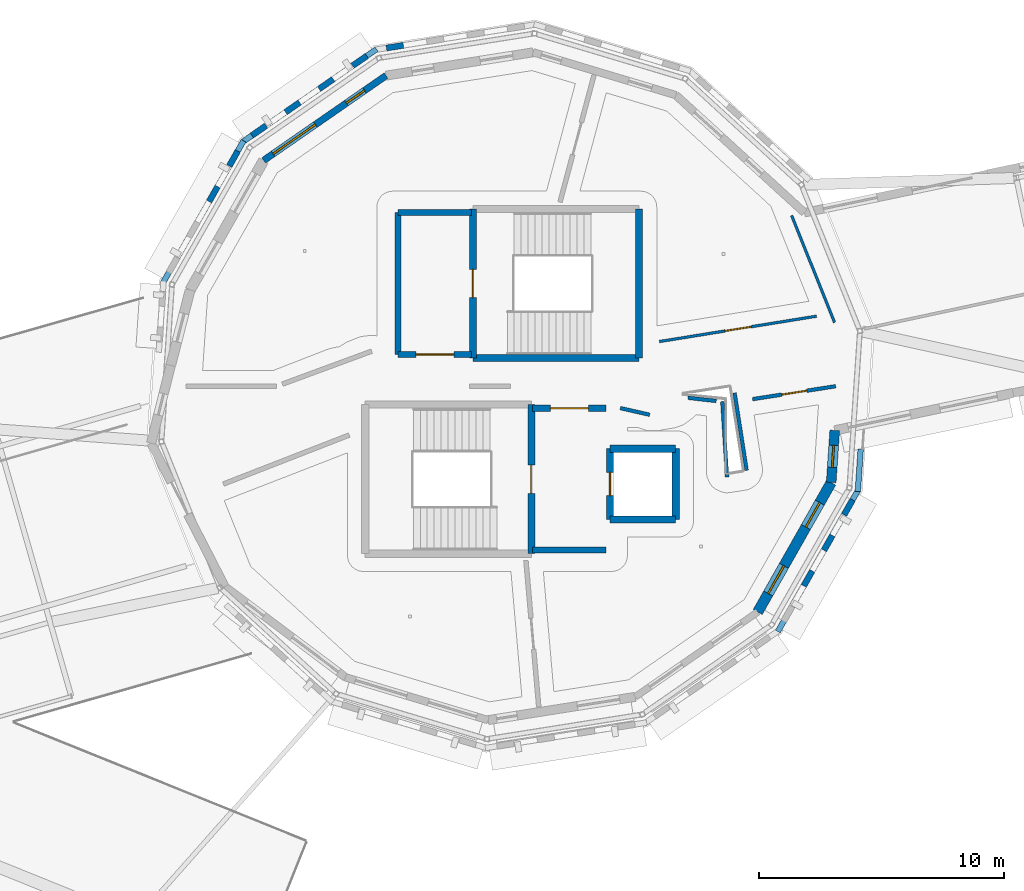
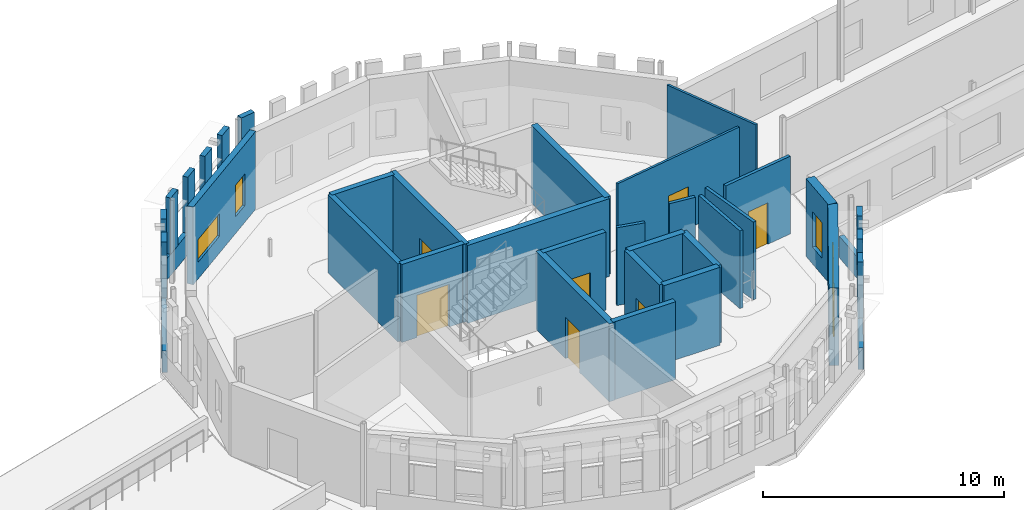
# One storey, part 60 of 90: 37 walls, 7 doors, 5 windows, 12 openings.
"""IFC4 building model written with IfcOpenShell, lengths in metres."""

from ifc_helpers import new_model, si_unit, direction, frame, frame_2d, origin, place, context, subcontext, project, spatial, rectangle, extrude, material, layer, layer_set, type_object, element, fill, save


model = new_model("IFC4")

# Units and contexts
model_context = context("Model", 3, precision=1e-05, world=origin(), true_north=direction((0.0, 1.0)))
body_context = subcontext(model_context, "Body", "Model", "MODEL_VIEW")
ifc_project = project(units=[si_unit("LENGTHUNIT", "METRE"), si_unit("AREAUNIT", "SQUARE_METRE"), si_unit("VOLUMEUNIT", "CUBIC_METRE"), si_unit("PLANEANGLEUNIT", "RADIAN"), si_unit("MASSUNIT", "GRAM", prefix="KILO")], contexts=[model_context])

# Site, building, storey
site_placement = place(None, origin())
site = spatial("IfcSite", under=ifc_project, at=site_placement, CompositionType="ELEMENT")
building_placement = place(site_placement, origin())
building = spatial("IfcBuilding", under=site, at=building_placement, Name="Wrenclough Park School", CompositionType="ELEMENT")
storey_placement = place(building_placement, frame((0.0, 0.0, 8.39990234375)))
storey = spatial("IfcBuildingStorey", under=building, at=storey_placement, Name="L02", CompositionType="ELEMENT", Elevation=8.39990234375)

# Walls
ifc_material_1 = material(Name="Perforated open-bond Staffordshire and Manchester brick screen pier", Category="masonry")
ifc_layer_1 = layer(ifc_material_1, 0.2451171875)
ifc_layer_set_1 = layer_set([ifc_layer_1], Name="Perforated open-bond Staffordshire and Manchester brick screen pier")
wall_type_1 = type_object("IfcWallType", Name="ENV-BS-PR245", PredefinedType="ELEMENTEDWALL", material=ifc_layer_set_1)
for number, where, z_axis, x_axis, name in (
    (1, (78.6142578125, 122.42919921875, 1.090087890625), (0.0, 0.0, 1.0), (-0.987697931756, -0.156373896812, 0.0), "D4 L02 perforated brick screen pier 0556"),
    (2, (77.120361328125, 121.998046875, 1.090087890625), (0.0, 0.0, 1.0), (-0.822004061083, -0.569481627064, 0.0), "D4 L02 perforated brick screen pier 0557"),
    (3, (75.748291015625, 121.047607421875, 1.090087890625), (0.0, 0.0, 1.0), (-0.822004061083, -0.569481627064, 0.0), "D4 L02 perforated brick screen pier 0558"),
):
    element("IfcWall", number, at=place(storey_placement, frame(where, z_axis=z_axis, x_axis=x_axis)), inside=storey, type_object=wall_type_1, Name=name, PredefinedType="ELEMENTEDWALL", context=body_context, shape_type="SweptSolid", body=[
        extrude(rectangle(XDim=0.700927734375, YDim=0.2451171875, at=frame_2d((0.3505859375, 0.0))), origin(), (0.0, 0.0, 1.0), 2.85009765625),
    ])
wall_1_placement = place(storey_placement, frame((74.376708984375, 120.097412109375, 1.090087890625), z_axis=(0.0, 0.0, 1.0), x_axis=(-0.821953993254, -0.569553889438, 0.0)))
element("IfcWall", 4, at=wall_1_placement, inside=storey, type_object=wall_type_1, Name="D4 L02 perforated brick screen pier 0559", PredefinedType="ELEMENTEDWALL", context=body_context, shape_type="SweptSolid", body=[
    extrude(rectangle(XDim=0.701171875, YDim=0.2451171875, at=frame_2d((0.3505859375, 0.0))), origin(), (0.0, 0.0, 1.0), 2.85009765625),
])
for number, where, z_axis, x_axis, name in (
    (5, (73.004638671875, 119.14697265625, 1.090087890625), (0.0, 0.0, 1.0), (-0.822004061083, -0.569481627064, 0.0), "D4 L02 perforated brick screen pier 0560"),
    (6, (71.845947265625, 118.1103515625, 1.090087890625), (0.0, 0.0, 1.0), (-0.493548557981, -0.869718242257, 0.0), "D4 L02 perforated brick screen pier 0561"),
    (7, (71.022216796875, 116.658935546875, 1.090087890625), (0.0, 0.0, 1.0), (-0.49328502852, -0.869867737439, 0.0), "D4 L02 perforated brick screen pier 0562"),
    (8, (94.977783203125, 100.341064453125, 1.090087890625), (0.0, 0.0, 1.0), (0.49328502852, 0.869867737439, 0.0), "D4 L02 perforated brick screen pier 0583"),
    (9, (95.80126953125, 101.792724609375, 1.090087890625), (0.0, 0.0, 1.0), (0.493548557981, 0.869718242257, 0.0), "D4 L02 perforated brick screen pier 0584"),
):
    element("IfcWall", number, at=place(storey_placement, frame(where, z_axis=z_axis, x_axis=x_axis)), inside=storey, type_object=wall_type_1, Name=name, PredefinedType="ELEMENTEDWALL", context=body_context, shape_type="SweptSolid", body=[
        extrude(rectangle(XDim=0.700927734375, YDim=0.2451171875, at=frame_2d((0.3505859375, 0.0))), origin(), (0.0, 0.0, 1.0), 2.85009765625),
    ])
wall_2_placement = place(storey_placement, frame((96.625, 103.244140625, 1.090087890625), z_axis=(0.0, 0.0, 1.0), x_axis=(0.49339908657, 0.869803047461, 0.0)))
element("IfcWall", 10, at=wall_2_placement, inside=storey, type_object=wall_type_1, Name="D4 L02 perforated brick screen pier 0585", PredefinedType="ELEMENTEDWALL", context=body_context, shape_type="SweptSolid", body=[
    extrude(rectangle(XDim=0.701171875, YDim=0.2451171875, at=frame_2d((0.3505859375, 0.0))), origin(), (0.0, 0.0, 1.0), 2.85009765625),
])
ifc_material_2 = material(Name="Open-bond Manchester multi-stock brick spandrel screen", Category="masonry")
ifc_layer_2 = layer(ifc_material_2, 0.22509765625)
ifc_layer_set_2 = layer_set([ifc_layer_2], Name="Open-bond Manchester multi-stock brick spandrel screen")
wall_type_2 = type_object("IfcWallType", Name="ENV-BS-SP225", PredefinedType="ELEMENTEDWALL", material=ifc_layer_set_2)
wall_3_placement = place(storey_placement, frame((77.51806640625, 122.273681640625, 0.0), z_axis=(0.0, 0.0, 1.0), x_axis=(-0.822009139105, -0.56947429725, 0.0)))
element("IfcWall", 11, at=wall_3_placement, inside=storey, type_object=wall_type_2, Name="D4 L02 open-bond brick screen spandrel 0151", PredefinedType="ELEMENTEDWALL", context=body_context, shape_type="SweptSolid", body=[
    extrude(rectangle(XDim=6.675537109375, YDim=0.22509765625, at=frame_2d((3.337890625, 0.0))), origin(), (0.0, 0.0, 1.0), 1.090087890625),
])
for number, where, z_axis, x_axis, name in (
    (12, (72.084716796875, 118.53125, 0.0), (0.0, 0.0, 1.0), (-0.493497861667, -0.869747009498, 0.0), "D4 L02 open-bond brick screen spandrel 0152"),
    (13, (93.915283203125, 98.46875, 0.0), (0.0, 0.0, 1.0), (0.493497861667, 0.869747009498, 0.0), "D4 L02 open-bond brick screen spandrel 0158"),
):
    element("IfcWall", number, at=place(storey_placement, frame(where, z_axis=z_axis, x_axis=x_axis)), inside=storey, type_object=wall_type_2, Name=name, PredefinedType="ELEMENTEDWALL", context=body_context, shape_type="SweptSolid", body=[
        extrude(rectangle(XDim=6.67578125, YDim=0.22509765625, at=frame_2d((3.337890625, 0.0))), origin(), (0.0, 0.0, 1.0), 1.090087890625),
    ])
wall_4_placement = place(storey_placement, frame((97.186767578125, 104.197998046875, 0.0), z_axis=(0.0, 0.0, 1.0), x_axis=(0.067258320943, 0.997735595368, 0.0)))
element("IfcWall", 14, at=wall_4_placement, inside=storey, type_object=wall_type_2, Name="D4 L02 open-bond brick screen spandrel 0159", PredefinedType="ELEMENTEDWALL", context=body_context, shape_type="SweptSolid", body=[
    extrude(rectangle(XDim=1.7314453125, YDim=0.22509765625, at=frame_2d((0.86572265625, 0.0))), origin(), (0.0, 0.0, 1.0), 1.090087890625),
])

# Wall, openings, windows
ifc_material_3 = material(Name="Link wing brick-faced cavity wall Concrete C32/40", Category="masonry")
ifc_layer_3 = layer(ifc_material_3, 0.27490234375)
ifc_layer_set_3 = layer_set([ifc_layer_3], Name="Link wing brick-faced cavity wall Concrete C32/40")
wall_type_3 = type_object("IfcWallType", Name="ENV-EW-275", PredefinedType="SOLIDWALL", material=ifc_layer_set_3)
wall_5_placement = place(storey_placement, frame((72.90478515625, 117.7275390625, 0.0), z_axis=(0.0, 0.0, 1.0), x_axis=(0.821994314634, 0.569495695075, 0.0)))
wall_5 = element("IfcWall", 15, at=wall_5_placement, inside=storey, type_object=wall_type_3, Name="L02 insulated brick external wall 0166", PredefinedType="SOLIDWALL", context=body_context, shape_type="SweptSolid", body=[
    extrude(rectangle(XDim=6.086669921875, YDim=0.27490234375, at=frame_2d((3.04345703125, 0.0))), origin(), (0.0, 0.0, 1.0), 3.940185546875),
])
opening_1_placement = place(wall_5_placement, frame((0.4716796875, 0.0, 0.85009765625)))
opening_1 = element("IfcOpeningElement", 16, at=opening_1_placement, cuts=wall_5, Name="Opening WN-40", PredefinedType="OPENING", context=body_context, shape_type="SweptSolid", body=[
    extrude(rectangle(XDim=2.10009765625, YDim=1.14990234375, at=frame_2d((1.050048828125, 0.574951171875))), frame((0.0, 0.1474609375, 0.0), z_axis=(0.0, -1.0, 0.0), x_axis=(1.0, 0.0, 0.0)), (0.0, 0.0, 1.0), 0.294921875),
])
opening_2_placement = place(wall_5_placement, frame((4.114990234375, 0.0, 0.85009765625)))
opening_2 = element("IfcOpeningElement", 17, at=opening_2_placement, cuts=wall_5, Name="Opening WN-13", PredefinedType="OPENING", context=body_context, shape_type="SweptSolid", body=[
    extrude(rectangle(XDim=0.89990234375, YDim=1.60009765625, at=frame_2d((0.449951171875, 0.800048828125))), frame((0.0, 0.1474609375, 0.0), z_axis=(0.0, -1.0, 0.0), x_axis=(1.0, 0.0, 0.0)), (0.0, 0.0, 1.0), 0.294921875),
])
ifc_material_4 = material(Name="Thermally broken aluminium and double-glazed low-e glass", Category="aluminium")
window_type_1 = type_object("IfcWindowType", Name="ENV-WN-13", PartitioningType="SINGLE_PANEL", PredefinedType="WINDOW", material=ifc_material_4)
window_1_placement = place(opening_2_placement, origin())
window_1 = element("IfcWindow", 18, at=window_1_placement, inside=storey, type_object=window_type_1, Name="L02 scheduled facade window 0264", OverallHeight=1.60009765625, OverallWidth=0.89990234375, PartitioningType="SINGLE_PANEL", PredefinedType="WINDOW", context=body_context, shape_type="SweptSolid", body=[
    extrude(rectangle(XDim=0.89990234375, YDim=1.60009765625, at=frame_2d((0.449951171875, 0.800048828125))), frame((0.0, 0.030029296875, 0.0), z_axis=(0.0, -1.0, 0.0), x_axis=(1.0, 0.0, 0.0)), (0.0, 0.0, 1.0), 0.06005859375),
])
fill(opening_2, window_1)
window_type_2 = type_object("IfcWindowType", Name="ENV-WN-40", PartitioningType="DOUBLE_PANEL_VERTICAL", PredefinedType="WINDOW", material=ifc_material_4)
window_2_placement = place(opening_1_placement, origin())
window_2 = element("IfcWindow", 19, at=window_2_placement, inside=storey, type_object=window_type_2, Name="L02 scheduled facade window 0263", OverallHeight=1.14990234375, OverallWidth=2.10009765625, PartitioningType="SINGLE_PANEL", PredefinedType="WINDOW", context=body_context, shape_type="SweptSolid", body=[
    extrude(rectangle(XDim=2.10009765625, YDim=1.14990234375, at=frame_2d((1.050048828125, 0.574951171875))), frame((0.0, 0.030029296875, 0.0), z_axis=(0.0, -1.0, 0.0), x_axis=(1.0, 0.0, 0.0)), (0.0, 0.0, 1.0), 0.06005859375),
])
fill(opening_1, window_2)

# Wall, opening, window
ifc_material_5 = material(Name="Staffordshire blue-grey brick and Concrete C40/50 acoustic leaf", Category="masonry")
ifc_layer_4 = layer(ifc_material_5, 0.39990234375)
ifc_layer_set_4 = layer_set([ifc_layer_4], Name="Staffordshire blue-grey brick and Concrete C40/50 acoustic leaf")
wall_type_4 = type_object("IfcWallType", Name="ENV-EW-400", PredefinedType="SOLIDWALL", material=ifc_layer_set_4)
wall_6_placement = place(storey_placement, frame((96.24267578125, 106.694580078125, 0.0), z_axis=(0.0, 0.0, 1.0), x_axis=(-0.067309145793, -0.997732167915, 0.0)))
wall_6 = element("IfcWall", 20, at=wall_6_placement, inside=storey, type_object=wall_type_4, Name="L02 insulated brick external wall 0156", PredefinedType="SOLIDWALL", context=body_context, shape_type="SweptSolid", body=[
    extrude(rectangle(XDim=2.1328125, YDim=0.39990234375, at=frame_2d((1.06640625, 0.0))), origin(), (0.0, 0.0, 1.0), 3.940185546875),
])
opening_3_placement = place(wall_6_placement, frame((0.616455078125, 0.0, 0.85009765625)))
opening_3 = element("IfcOpeningElement", 21, at=opening_3_placement, cuts=wall_6, Name="Opening WN-25", PredefinedType="OPENING", context=body_context, shape_type="SweptSolid", body=[
    extrude(rectangle(XDim=0.89990234375, YDim=1.800048828125, at=frame_2d((0.449951171875, 0.89990234375))), frame((0.0, 0.2099609375, 0.0), z_axis=(0.0, -1.0, 0.0), x_axis=(1.0, 0.0, 0.0)), (0.0, 0.0, 1.0), 0.419921875),
])
window_type_3 = type_object("IfcWindowType", Name="ENV-WN-25", PartitioningType="SINGLE_PANEL", PredefinedType="WINDOW", material=ifc_material_4)
window_3_placement = place(opening_3_placement, origin())
window_3 = element("IfcWindow", 22, at=window_3_placement, inside=storey, type_object=window_type_3, Name="L02 scheduled facade window 0248", OverallHeight=1.800048828125, OverallWidth=0.89990234375, PartitioningType="SINGLE_PANEL", PredefinedType="WINDOW", context=body_context, shape_type="SweptSolid", body=[
    extrude(rectangle(XDim=0.89990234375, YDim=1.800048828125, at=frame_2d((0.449951171875, 0.89990234375))), frame((0.0, 0.030029296875, 0.0), z_axis=(0.0, -1.0, 0.0), x_axis=(1.0, 0.0, 0.0)), (0.0, 0.0, 1.0), 0.06005859375),
])
fill(opening_3, window_3)

# Wall, openings, windows
ifc_material_6 = material(Name="Insulated brick-clad sports hall wall Concrete C40/50", Category="masonry")
ifc_layer_5 = layer(ifc_material_6, 0.425048828125)
ifc_layer_set_5 = layer_set([ifc_layer_5], Name="Insulated brick-clad sports hall wall Concrete C40/50")
wall_type_5 = type_object("IfcWallType", Name="ENV-EW-425", PredefinedType="SOLIDWALL", material=ifc_layer_set_5)
wall_7_placement = place(storey_placement, frame((96.09912109375, 104.566650390625, 0.0), z_axis=(0.0, 0.0, 1.0), x_axis=(-0.49349318979, -0.869749660322, 0.0)))
wall_7 = element("IfcWall", 23, at=wall_7_placement, inside=storey, type_object=wall_type_5, Name="L02 insulated brick external wall 0157", PredefinedType="SOLIDWALL", context=body_context, shape_type="SweptSolid", body=[
    extrude(rectangle(XDim=6.0869140625, YDim=0.425048828125, at=frame_2d((3.04345703125, 0.0))), origin(), (0.0, 0.0, 1.0), 3.940185546875),
])
opening_4_placement = place(wall_7_placement, frame((0.94677734375, 0.0, 0.85009765625)))
opening_4 = element("IfcOpeningElement", 24, at=opening_4_placement, cuts=wall_7, Name="Opening WN-26", PredefinedType="OPENING", context=body_context, shape_type="SweptSolid", body=[
    extrude(rectangle(XDim=1.14990234375, YDim=1.800048828125, at=frame_2d((0.574951171875, 0.89990234375))), frame((0.0, 0.222412109375, 0.0), z_axis=(0.0, -1.0, 0.0), x_axis=(1.0, 0.0, 0.0)), (0.0, 0.0, 1.0), 0.445068359375),
])
opening_5_placement = place(wall_7_placement, frame((3.915283203125, 0.0, 0.85009765625)))
opening_5 = element("IfcOpeningElement", 25, at=opening_5_placement, cuts=wall_7, Name="Opening WN-27", PredefinedType="OPENING", context=body_context, shape_type="SweptSolid", body=[
    extrude(rectangle(XDim=1.300048828125, YDim=1.800048828125, at=frame_2d((0.64990234375, 0.89990234375))), frame((0.0, 0.222412109375, 0.0), z_axis=(0.0, -1.0, 0.0), x_axis=(1.0, 0.0, 0.0)), (0.0, 0.0, 1.0), 0.445068359375),
])
window_type_4 = type_object("IfcWindowType", Name="ENV-WN-26", PartitioningType="SINGLE_PANEL", PredefinedType="WINDOW", material=ifc_material_4)
window_4_placement = place(opening_4_placement, origin())
window_4 = element("IfcWindow", 26, at=window_4_placement, inside=storey, type_object=window_type_4, Name="L02 scheduled facade window 0249", OverallHeight=1.800048828125, OverallWidth=1.14990234375, PartitioningType="SINGLE_PANEL", PredefinedType="WINDOW", context=body_context, shape_type="SweptSolid", body=[
    extrude(rectangle(XDim=1.14990234375, YDim=1.800048828125, at=frame_2d((0.574951171875, 0.89990234375))), frame((0.0, 0.030029296875, 0.0), z_axis=(0.0, -1.0, 0.0), x_axis=(1.0, 0.0, 0.0)), (0.0, 0.0, 1.0), 0.06005859375),
])
fill(opening_4, window_4)
window_type_5 = type_object("IfcWindowType", Name="ENV-WN-27", PartitioningType="SINGLE_PANEL", PredefinedType="WINDOW", material=ifc_material_4)
window_5_placement = place(opening_5_placement, origin())
window_5 = element("IfcWindow", 27, at=window_5_placement, inside=storey, type_object=window_type_5, Name="L02 scheduled facade window 0250", OverallHeight=1.800048828125, OverallWidth=1.300048828125, PartitioningType="SINGLE_PANEL", PredefinedType="WINDOW", context=body_context, shape_type="SweptSolid", body=[
    extrude(rectangle(XDim=1.300048828125, YDim=1.800048828125, at=frame_2d((0.64990234375, 0.89990234375))), frame((0.0, 0.030029296875, 0.0), z_axis=(0.0, -1.0, 0.0), x_axis=(1.0, 0.0, 0.0)), (0.0, 0.0, 1.0), 0.06005859375),
])
fill(opening_5, window_5)

# Wall
ifc_material_7 = material(Name="Concrete C35/45", Category="concrete")
ifc_layer_6 = layer(ifc_material_7, 0.25)
ifc_layer_set_6 = layer_set([ifc_layer_6], Name="Concrete C35/45")
wall_type_6 = type_object("IfcWallType", Name="INT-CW-250", PredefinedType="SHEAR", material=ifc_layer_set_6)
wall_8_placement = place(storey_placement, frame((83.89990234375, 101.800048828125, 0.0), z_axis=(0.0, 0.0, 1.0), x_axis=(1.0, 0.0, 0.0)))
element("IfcWall", 28, at=wall_8_placement, inside=storey, type_object=wall_type_6, Name="Core C4 L02 lobby fire wall south", PredefinedType="SHEAR", context=body_context, shape_type="SweptSolid", body=[
    extrude(rectangle(XDim=3.0, YDim=0.25, at=frame_2d((1.5, 0.0))), origin(), (0.0, 0.0, 1.0), 3.9501953125),
])

# Wall, opening, door
wall_9_placement = place(storey_placement, frame((86.89990234375, 107.60009765625, 0.0), z_axis=(0.0, 0.0, 1.0), x_axis=(-1.0, 0.0, 0.0)))
wall_9 = element("IfcWall", 29, at=wall_9_placement, inside=storey, type_object=wall_type_6, Name="Core C4 L02 lobby fire wall north", PredefinedType="SHEAR", context=body_context, shape_type="SweptSolid", body=[
    extrude(rectangle(XDim=3.0, YDim=0.25, at=frame_2d((1.5, 0.0))), origin(), (0.0, 0.0, 1.0), 3.9501953125),
])
opening_6_placement = place(wall_9_placement, frame((0.72509765625, 0.0, 0.0)))
opening_6 = element("IfcOpeningElement", 30, at=opening_6_placement, cuts=wall_9, Name="Opening DLB-C4-L02", PredefinedType="OPENING", context=body_context, shape_type="SweptSolid", body=[
    extrude(rectangle(XDim=1.550048828125, YDim=2.14990234375, at=frame_2d((0.77490234375, 1.074951171875))), frame((0.0, 0.135009765625, 0.0), z_axis=(0.0, -1.0, 0.0), x_axis=(1.0, 0.0, 0.0)), (0.0, 0.0, 1.0), 0.27001953125),
])
ifc_material_8 = material(Name="Protected stair lobby double fire door assembly", Category="wood")
door_type_1 = type_object("IfcDoorType", Name="INT-DR-LB155", OperationType="NOTDEFINED", PredefinedType="DOOR", material=ifc_material_8)
door_1_placement = place(opening_6_placement, origin())
door_1 = element("IfcDoor", 31, at=door_1_placement, inside=storey, type_object=door_type_1, Name="Core C4 L02 protected lobby fire door", OperationType="DOUBLE_DOOR_SINGLE_SWING", OverallHeight=2.14990234375, OverallWidth=1.550048828125, PredefinedType="DOOR", context=body_context, shape_type="SweptSolid", body=[
    extrude(rectangle(XDim=1.550048828125, YDim=2.14990234375, at=frame_2d((0.77490234375, 1.074951171875))), frame((0.0, 0.02490234375, 0.0), z_axis=(0.0, -1.0, 0.0), x_axis=(1.0, 0.0, 0.0)), (0.0, 0.0, 1.0), 0.050048828125),
])
fill(opening_6, door_1)

wall_10_placement = place(storey_placement, frame((78.39990234375, 109.800048828125, 0.0), z_axis=(0.0, 0.0, 1.0), x_axis=(1.0, 0.0, 0.0)))
wall_10 = element("IfcWall", 32, at=wall_10_placement, inside=storey, type_object=wall_type_6, Name="Core C4B L02 lobby fire wall south", PredefinedType="SHEAR", context=body_context, shape_type="SweptSolid", body=[
    extrude(rectangle(XDim=3.0, YDim=0.25, at=frame_2d((1.5, 0.0))), origin(), (0.0, 0.0, 1.0), 3.9501953125),
])
opening_7_placement = place(wall_10_placement, frame((0.72509765625, 0.0, 0.0)))
opening_7 = element("IfcOpeningElement", 33, at=opening_7_placement, cuts=wall_10, Name="Opening DLB-C4B-L02", PredefinedType="OPENING", context=body_context, shape_type="SweptSolid", body=[
    extrude(rectangle(XDim=1.550048828125, YDim=2.14990234375, at=frame_2d((0.77490234375, 1.074951171875))), frame((0.0, 0.135009765625, 0.0), z_axis=(0.0, -1.0, 0.0), x_axis=(1.0, 0.0, 0.0)), (0.0, 0.0, 1.0), 0.27001953125),
])
door_2_placement = place(opening_7_placement, origin())
door_2 = element("IfcDoor", 34, at=door_2_placement, inside=storey, type_object=door_type_1, Name="Core C4B L02 protected lobby fire door", OperationType="DOUBLE_DOOR_SINGLE_SWING", OverallHeight=2.14990234375, OverallWidth=1.550048828125, PredefinedType="DOOR", context=body_context, shape_type="SweptSolid", body=[
    extrude(rectangle(XDim=1.550048828125, YDim=2.14990234375, at=frame_2d((0.77490234375, 1.074951171875))), frame((0.0, 0.02490234375, 0.0), z_axis=(0.0, -1.0, 0.0), x_axis=(1.0, 0.0, 0.0)), (0.0, 0.0, 1.0), 0.050048828125),
])
fill(opening_7, door_2)

# Walls
wall_11_placement = place(storey_placement, frame((81.39990234375, 115.60009765625, 0.0), z_axis=(0.0, 0.0, 1.0), x_axis=(-1.0, 0.0, 0.0)))
element("IfcWall", 35, at=wall_11_placement, inside=storey, type_object=wall_type_6, Name="Core C4B L02 lobby fire wall north", PredefinedType="SHEAR", context=body_context, shape_type="SweptSolid", body=[
    extrude(rectangle(XDim=3.0, YDim=0.25, at=frame_2d((1.5, 0.0))), origin(), (0.0, 0.0, 1.0), 3.9501953125),
])
wall_12_placement = place(storey_placement, frame((78.39990234375, 115.60009765625, 0.0), z_axis=(0.0, 0.0, 1.0), x_axis=(0.0, -1.0, 0.0)))
element("IfcWall", 36, at=wall_12_placement, inside=storey, type_object=wall_type_6, Name="Core C4B L02 lobby fire wall west", PredefinedType="SHEAR", context=body_context, shape_type="SweptSolid", body=[
    extrude(rectangle(XDim=5.800048828125, YDim=0.25, at=frame_2d((2.89990234375, 0.0))), origin(), (0.0, 0.0, 1.0), 3.9501953125),
])

# Wall, opening, door
ifc_material_9 = material(Name="Concrete C40/50", Category="concrete")
ifc_layer_7 = layer(ifc_material_9, 0.2900390625)
ifc_layer_set_7 = layer_set([ifc_layer_7], Name="Concrete C40/50")
wall_type_7 = type_object("IfcWallType", Name="INT-CW-290", PredefinedType="SHEAR", material=ifc_layer_set_7)
wall_13_placement = place(storey_placement, frame((83.844970703125, 101.655029296875, 0.0), z_axis=(0.0, 0.0, 1.0), x_axis=(0.0, 1.0, 0.0)))
wall_13 = element("IfcWall", 37, at=wall_13_placement, inside=storey, type_object=wall_type_7, Name="Core C4 L02 east shear wall", PredefinedType="SHEAR", context=body_context, shape_type="SweptSolid", body=[
    extrude(rectangle(XDim=6.090087890625, YDim=0.2900390625, at=frame_2d((3.044921875, 0.0))), origin(), (0.0, 0.0, 1.0), 3.9501953125),
])
opening_8_placement = place(wall_13_placement, frame((2.469970703125, 0.0, 0.0)))
opening_8 = element("IfcOpeningElement", 38, at=opening_8_placement, cuts=wall_13, Name="Opening DST-C4-L02", PredefinedType="OPENING", context=body_context, shape_type="SweptSolid", body=[
    extrude(rectangle(XDim=1.14990234375, YDim=2.10009765625, at=frame_2d((0.574951171875, 1.050048828125))), frame((0.0, 0.155029296875, 0.0), z_axis=(0.0, -1.0, 0.0), x_axis=(1.0, 0.0, 0.0)), (0.0, 0.0, 1.0), 0.31005859375),
])
ifc_material_10 = material(Name="Protected escape stair single fire door assembly", Category="wood")
door_type_2 = type_object("IfcDoorType", Name="INT-DR-ST115", OperationType="NOTDEFINED", PredefinedType="DOOR", material=ifc_material_10)
door_3_placement = place(opening_8_placement, origin())
door_3 = element("IfcDoor", 39, at=door_3_placement, inside=storey, type_object=door_type_2, Name="Stair ST-04 L02 fire door", OperationType="SINGLE_SWING_LEFT", OverallHeight=2.10009765625, OverallWidth=1.14990234375, PredefinedType="DOOR", context=body_context, shape_type="SweptSolid", body=[
    extrude(rectangle(XDim=1.14990234375, YDim=2.10009765625, at=frame_2d((0.574951171875, 1.050048828125))), frame((0.0, 0.02490234375, 0.0), z_axis=(0.0, -1.0, 0.0), x_axis=(1.0, 0.0, 0.0)), (0.0, 0.0, 1.0), 0.050048828125),
])
fill(opening_8, door_3)

# Walls
wall_14_placement = place(storey_placement, frame((87.054931640625, 103.054931640625, 0.0), z_axis=(0.0, 0.0, 1.0), x_axis=(1.0, 0.0, 0.0)))
element("IfcWall", 40, at=wall_14_placement, inside=storey, type_object=wall_type_7, Name="Lift LFT-06 L02 south shaft wall", PredefinedType="SHEAR", context=body_context, shape_type="SweptSolid", body=[
    extrude(rectangle(XDim=2.690185546875, YDim=0.2900390625, at=frame_2d((1.34521484375, 0.0))), origin(), (0.0, 0.0, 1.0), 3.9501953125),
])
wall_15_placement = place(storey_placement, frame((89.7451171875, 103.054931640625, 0.0), z_axis=(0.0, 0.0, 1.0), x_axis=(0.0, 1.0, 0.0)))
element("IfcWall", 41, at=wall_15_placement, inside=storey, type_object=wall_type_7, Name="Lift LFT-06 L02 east shaft wall", PredefinedType="SHEAR", context=body_context, shape_type="SweptSolid", body=[
    extrude(rectangle(XDim=2.89013671875, YDim=0.2900390625, at=frame_2d((1.445068359375, 0.0))), origin(), (0.0, 0.0, 1.0), 3.9501953125),
])
wall_16_placement = place(storey_placement, frame((89.7451171875, 105.945068359375, 0.0), z_axis=(0.0, 0.0, 1.0), x_axis=(-1.0, 0.0, 0.0)))
element("IfcWall", 42, at=wall_16_placement, inside=storey, type_object=wall_type_7, Name="Lift LFT-06 L02 north shaft wall", PredefinedType="SHEAR", context=body_context, shape_type="SweptSolid", body=[
    extrude(rectangle(XDim=2.690185546875, YDim=0.2900390625, at=frame_2d((1.34521484375, 0.0))), origin(), (0.0, 0.0, 1.0), 3.9501953125),
])

# Wall, opening, door
wall_17_placement = place(storey_placement, frame((87.054931640625, 105.945068359375, 0.0), z_axis=(0.0, 0.0, 1.0), x_axis=(0.0, -1.0, 0.0)))
wall_17 = element("IfcWall", 43, at=wall_17_placement, inside=storey, type_object=wall_type_7, Name="Lift LFT-06 L02 west shaft wall", PredefinedType="SHEAR", context=body_context, shape_type="SweptSolid", body=[
    extrude(rectangle(XDim=2.89013671875, YDim=0.2900390625, at=frame_2d((1.445068359375, 0.0))), origin(), (0.0, 0.0, 1.0), 3.9501953125),
])
opening_9_placement = place(wall_17_placement, frame((0.969970703125, 0.0, 0.0)))
opening_9 = element("IfcOpeningElement", 44, at=opening_9_placement, cuts=wall_17, Name="Opening LD-06-L02", PredefinedType="OPENING", context=body_context, shape_type="SweptSolid", body=[
    extrude(rectangle(XDim=0.949951171875, YDim=2.10009765625, at=frame_2d((0.47509765625, 1.050048828125))), frame((0.0, 0.155029296875, 0.0), z_axis=(0.0, -1.0, 0.0), x_axis=(1.0, 0.0, 0.0)), (0.0, 0.0, 1.0), 0.31005859375),
])
ifc_material_11 = material(Name="Brushed stainless steel", Category="steel")
door_type_3 = type_object("IfcDoorType", Name="INT-DR-LD095", OperationType="NOTDEFINED", PredefinedType="DOOR", material=ifc_material_11)
door_4_placement = place(opening_9_placement, frame((0.949951171875, 0.0, 0.0), z_axis=(0.0, 0.0, 1.0), x_axis=(-1.0, 0.0, 0.0)))
door_4 = element("IfcDoor", 45, at=door_4_placement, inside=storey, type_object=door_type_3, Name="Lift LFT-06 L02 sliding landing door", OperationType="SLIDING_TO_LEFT", OverallHeight=2.10009765625, OverallWidth=0.949951171875, PredefinedType="DOOR", context=body_context, shape_type="SweptSolid", body=[
    extrude(rectangle(XDim=0.949951171875, YDim=2.10009765625, at=frame_2d((0.47509765625, 1.050048828125))), frame((0.0, 0.02490234375, 0.0), z_axis=(0.0, -1.0, 0.0), x_axis=(1.0, 0.0, 0.0)), (0.0, 0.0, 1.0), 0.050048828125),
])
fill(opening_9, door_4)

# Walls
wall_18_placement = place(storey_placement, frame((81.455078125, 109.655029296875, 0.0), z_axis=(0.0, 0.0, 1.0), x_axis=(1.0, 0.0, 0.0)))
element("IfcWall", 46, at=wall_18_placement, inside=storey, type_object=wall_type_7, Name="Core C4B L02 south shear wall", PredefinedType="SHEAR", context=body_context, shape_type="SweptSolid", body=[
    extrude(rectangle(XDim=6.7900390625, YDim=0.2900390625, at=frame_2d((3.39501953125, 0.0))), origin(), (0.0, 0.0, 1.0), 3.9501953125),
])
wall_19_placement = place(storey_placement, frame((88.2451171875, 109.655029296875, 0.0), z_axis=(0.0, 0.0, 1.0), x_axis=(0.0, 1.0, 0.0)))
element("IfcWall", 47, at=wall_19_placement, inside=storey, type_object=wall_type_7, Name="Core C4B L02 east shear wall", PredefinedType="SHEAR", context=body_context, shape_type="SweptSolid", body=[
    extrude(rectangle(XDim=6.090087890625, YDim=0.2900390625, at=frame_2d((3.044921875, 0.0))), origin(), (0.0, 0.0, 1.0), 3.9501953125),
])

# Wall, opening, door
wall_20_placement = place(storey_placement, frame((81.455078125, 115.7451171875, 0.0), z_axis=(0.0, 0.0, 1.0), x_axis=(0.0, -1.0, 0.0)))
wall_20 = element("IfcWall", 48, at=wall_20_placement, inside=storey, type_object=wall_type_7, Name="Core C4B L02 west shear wall", PredefinedType="SHEAR", context=body_context, shape_type="SweptSolid", body=[
    extrude(rectangle(XDim=6.090087890625, YDim=0.2900390625, at=frame_2d((3.044921875, 0.0))), origin(), (0.0, 0.0, 1.0), 3.9501953125),
])
opening_10_placement = place(wall_20_placement, frame((2.469970703125, 0.0, 0.0)))
opening_10 = element("IfcOpeningElement", 49, at=opening_10_placement, cuts=wall_20, Name="Opening DST-C4B-L02", PredefinedType="OPENING", context=body_context, shape_type="SweptSolid", body=[
    extrude(rectangle(XDim=1.14990234375, YDim=2.10009765625, at=frame_2d((0.574951171875, 1.050048828125))), frame((0.0, 0.155029296875, 0.0), z_axis=(0.0, -1.0, 0.0), x_axis=(1.0, 0.0, 0.0)), (0.0, 0.0, 1.0), 0.31005859375),
])
door_5_placement = place(opening_10_placement, origin())
door_5 = element("IfcDoor", 50, at=door_5_placement, inside=storey, type_object=door_type_2, Name="Stair ST-08 L02 fire door", OperationType="SINGLE_SWING_LEFT", OverallHeight=2.10009765625, OverallWidth=1.14990234375, PredefinedType="DOOR", context=body_context, shape_type="SweptSolid", body=[
    extrude(rectangle(XDim=1.14990234375, YDim=2.10009765625, at=frame_2d((0.574951171875, 1.050048828125))), frame((0.0, 0.02490234375, 0.0), z_axis=(0.0, -1.0, 0.0), x_axis=(1.0, 0.0, 0.0)), (0.0, 0.0, 1.0), 0.050048828125),
])
fill(opening_10, door_5)

ifc_material_12 = material(Name="Lightweight fire-rated store partition", Category="gypsum")
ifc_layer_8 = layer(ifc_material_12, 0.110107421875)
ifc_layer_set_8 = layer_set([ifc_layer_8], Name="Lightweight fire-rated store partition")
wall_type_8 = type_object("IfcWallType", Name="INT-PW-110", PredefinedType="PARTITIONING", material=ifc_layer_set_8)
wall_21_placement = place(storey_placement, frame((89.07958984375, 110.3251953125, 0.0), z_axis=(0.0, 0.0, 1.0), x_axis=(0.987210081252, 0.159424764309, 0.0)))
wall_21 = element("IfcWall", 51, at=wall_21_placement, inside=storey, type_object=wall_type_8, Name="L02 internal partition 0388", PredefinedType="PARTITIONING", context=body_context, shape_type="SweptSolid", body=[
    extrude(rectangle(XDim=6.50537109375, YDim=0.110107421875, at=frame_2d((3.252685546875, 0.0))), origin(), (0.0, 0.0, 1.0), 3.940185546875),
])
opening_11_placement = place(wall_21_placement, frame((2.712646484375, 0.0, 0.0)))
opening_11 = element("IfcOpeningElement", 52, at=opening_11_placement, cuts=wall_21, Name="Opening DR-L02-075", PredefinedType="OPENING", context=body_context, shape_type="SweptSolid", body=[
    extrude(rectangle(XDim=1.080078125, YDim=2.1201171875, at=frame_2d((0.5400390625, 1.06005859375))), frame((0.0, 0.06494140625, 0.0), z_axis=(0.0, -1.0, 0.0), x_axis=(1.0, 0.0, 0.0)), (0.0, 0.0, 1.0), 0.130126953125),
])
ifc_material_13 = material(Name="Sixth-form seminar room door assembly", Category="wood")
door_type_4 = type_object("IfcDoorType", Name="INT-DR-CL108", OperationType="NOTDEFINED", PredefinedType="DOOR", material=ifc_material_13)
door_6_placement = place(opening_11_placement, origin())
door_6 = element("IfcDoor", 53, at=door_6_placement, inside=storey, type_object=door_type_4, Name="History Classroom 2 door DR-L02-075", OperationType="SINGLE_SWING_RIGHT", OverallHeight=2.1201171875, OverallWidth=1.080078125, PredefinedType="DOOR", context=body_context, shape_type="SweptSolid", body=[
    extrude(rectangle(XDim=1.080078125, YDim=2.1201171875, at=frame_2d((0.5400390625, 1.06005859375))), frame((0.0, 0.02490234375, 0.0), z_axis=(0.0, -1.0, 0.0), x_axis=(1.0, 0.0, 0.0)), (0.0, 0.0, 1.0), 0.050048828125),
])
fill(opening_11, door_6)

# Wall
wall_22_placement = place(storey_placement, frame((96.235107421875, 111.1064453125, 0.0), z_axis=(0.0, 0.0, 1.0), x_axis=(-0.37231147683, 0.928107840835, 0.0)))
element("IfcWall", 54, at=wall_22_placement, inside=storey, type_object=wall_type_8, Name="L02 internal partition 0389", PredefinedType="PARTITIONING", context=body_context, shape_type="SweptSolid", body=[
    extrude(rectangle(XDim=4.70751953125, YDim=0.110107421875, at=frame_2d((2.353759765625, 0.0))), origin(), (0.0, 0.0, 1.0), 3.940185546875),
])

# Wall, opening, door
ifc_material_14 = material(Name="Protected corridor partition", Category="gypsum")
ifc_layer_9 = layer(ifc_material_14, 0.14990234375)
ifc_layer_set_9 = layer_set([ifc_layer_9], Name="Protected corridor partition")
wall_type_9 = type_object("IfcWallType", Name="INT-PW-150", PredefinedType="PARTITIONING", material=ifc_layer_set_9)
wall_23_placement = place(storey_placement, frame((96.2841796875, 108.5, 0.0), z_axis=(0.0, 0.0, 1.0), x_axis=(-0.988101852169, -0.153800941937, 0.0)))
wall_23 = element("IfcWall", 55, at=wall_23_placement, inside=storey, type_object=wall_type_9, Name="L02 internal partition 0383", PredefinedType="PARTITIONING", context=body_context, shape_type="SweptSolid", body=[
    extrude(rectangle(XDim=3.43994140625, YDim=0.14990234375, at=frame_2d((1.719970703125, 0.0))), origin(), (0.0, 0.0, 1.0), 3.940185546875),
])
opening_12_placement = place(wall_23_placement, frame((1.199951171875, 0.0, 0.0)))
opening_12 = element("IfcOpeningElement", 56, at=opening_12_placement, cuts=wall_23, Name="Opening DR-L02-074", PredefinedType="OPENING", context=body_context, shape_type="SweptSolid", body=[
    extrude(rectangle(XDim=1.0400390625, YDim=2.10009765625, at=frame_2d((0.52001953125, 1.050048828125))), frame((0.0, 0.0849609375, 0.0), z_axis=(0.0, -1.0, 0.0), x_axis=(1.0, 0.0, 0.0)), (0.0, 0.0, 1.0), 0.169921875),
])
ifc_material_15 = material(Name="SEN accessible teaching room door assembly", Category="wood")
door_type_5 = type_object("IfcDoorType", Name="INT-DR-CL104", OperationType="NOTDEFINED", PredefinedType="DOOR", material=ifc_material_15)
door_7_placement = place(opening_12_placement, origin())
door_7 = element("IfcDoor", 57, at=door_7_placement, inside=storey, type_object=door_type_5, Name="History Classroom 1 door DR-L02-074", OperationType="SINGLE_SWING_LEFT", OverallHeight=2.10009765625, OverallWidth=1.0400390625, PredefinedType="DOOR", context=body_context, shape_type="SweptSolid", body=[
    extrude(rectangle(XDim=1.0400390625, YDim=2.10009765625, at=frame_2d((0.52001953125, 1.050048828125))), frame((0.0, 0.02490234375, 0.0), z_axis=(0.0, -1.0, 0.0), x_axis=(1.0, 0.0, 0.0)), (0.0, 0.0, 1.0), 0.050048828125),
])
fill(opening_12, door_7)

# Walls
wall_24_placement = place(storey_placement, frame((92.150146484375, 108.227294921875, 0.0), z_axis=(0.0, 0.0, 1.0), x_axis=(0.153756576486, -0.988108756761, 0.0)))
element("IfcWall", 58, at=wall_24_placement, inside=storey, type_object=wall_type_9, Name="L02 internal partition 0384", PredefinedType="PARTITIONING", context=body_context, shape_type="SweptSolid", body=[
    extrude(rectangle(XDim=3.205810546875, YDim=0.14990234375, at=frame_2d((1.60302734375, 0.0))), origin(), (0.0, 0.0, 1.0), 3.940185546875),
])
wall_25_placement = place(storey_placement, frame((91.843017578125, 104.792724609375, 0.0), z_axis=(0.0, 0.0, 1.0), x_axis=(-0.062659390511, 0.998034969718, 0.0)))
element("IfcWall", 59, at=wall_25_placement, inside=storey, type_object=wall_type_9, Name="L02 internal partition 0385", PredefinedType="PARTITIONING", context=body_context, shape_type="SweptSolid", body=[
    extrude(rectangle(XDim=3.08203125, YDim=0.14990234375, at=frame_2d((1.541015625, 0.0))), origin(), (0.0, 0.0, 1.0), 3.940185546875),
])
wall_26_placement = place(storey_placement, frame((91.40185546875, 107.896484375, 0.0), z_axis=(0.0, 0.0, 1.0), x_axis=(-0.993757546788, 0.111561365189, 0.0)))
element("IfcWall", 60, at=wall_26_placement, inside=storey, type_object=wall_type_9, Name="L02 internal partition 0386", PredefinedType="PARTITIONING", context=body_context, shape_type="SweptSolid", body=[
    extrude(rectangle(XDim=1.162109375, YDim=0.14990234375, at=frame_2d((0.5810546875, 0.0))), origin(), (0.0, 0.0, 1.0), 3.940185546875),
])
wall_27_placement = place(storey_placement, frame((88.681884765625, 107.333251953125, 0.0), z_axis=(0.0, 0.0, 1.0), x_axis=(-0.975140642982, 0.221586837165, 0.0)))
element("IfcWall", 61, at=wall_27_placement, inside=storey, type_object=wall_type_9, Name="L02 internal partition 0387", PredefinedType="PARTITIONING", context=body_context, shape_type="SweptSolid", body=[
    extrude(rectangle(XDim=1.231689453125, YDim=0.14990234375, at=frame_2d((0.61572265625, 0.0))), origin(), (0.0, 0.0, 1.0), 3.940185546875),
])

save(model, "model.ifc")
